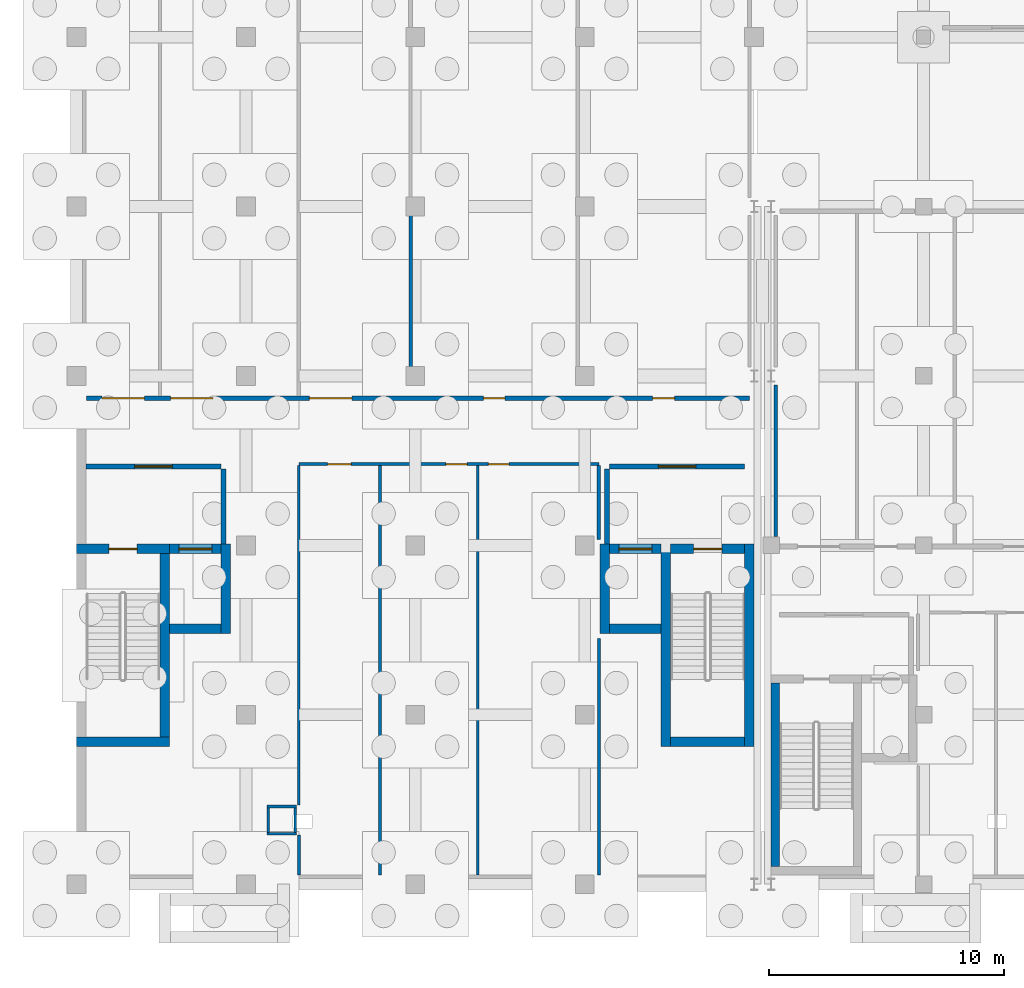
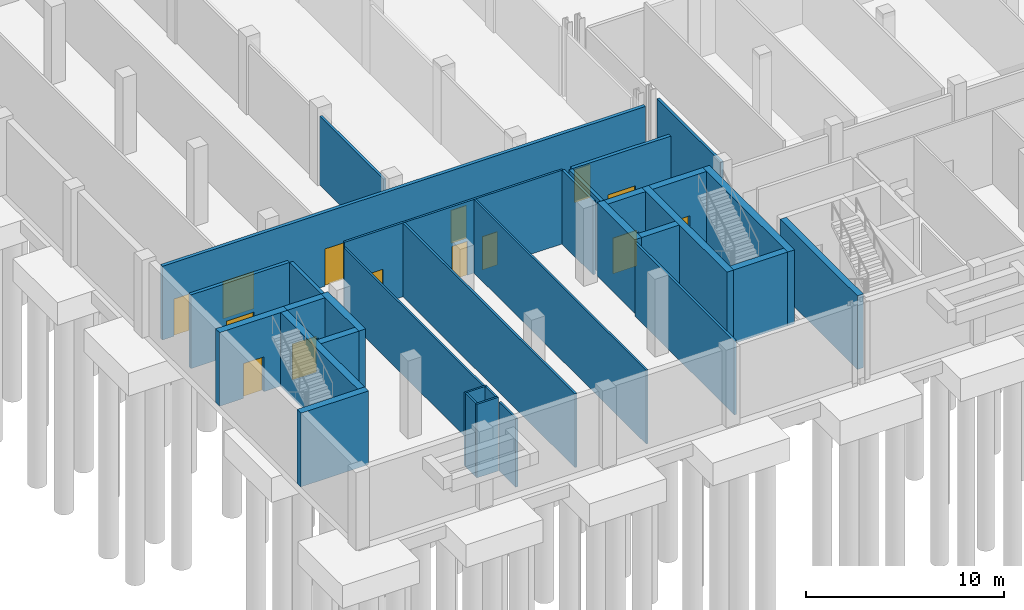
# One storey, part 15 of 35: 32 walls, 14 doors, 14 openings.
"""IFC4 building model written with IfcOpenShell, lengths in metres."""

from ifc_helpers import new_model, si_unit, direction, frame, frame_2d, origin, place, context, subcontext, project, spatial, rectangle, extrude, material, layer, layer_set, type_object, element, fill, save


model = new_model("IFC4")

# Units and contexts
model_context = context("Model", 3, precision=1e-05, world=origin(), true_north=direction((0.0, 1.0)))
body_context = subcontext(model_context, "Body", "Model", "MODEL_VIEW")
ifc_project = project(units=[si_unit("LENGTHUNIT", "METRE"), si_unit("AREAUNIT", "SQUARE_METRE"), si_unit("VOLUMEUNIT", "CUBIC_METRE"), si_unit("PLANEANGLEUNIT", "RADIAN"), si_unit("MASSUNIT", "GRAM", prefix="KILO")], contexts=[model_context])

# Site, building, storey
site_placement = place(None, origin())
site = spatial("IfcSite", under=ifc_project, at=site_placement, CompositionType="ELEMENT")
building_placement = place(site_placement, origin())
building = spatial("IfcBuilding", under=site, at=building_placement, Name="Zarrinpeak Specialist Clinic", CompositionType="ELEMENT")
storey_placement = place(building_placement, frame((0.0, 0.0, -4.800048828125)))
storey = spatial("IfcBuildingStorey", under=building, at=storey_placement, Name="B01", CompositionType="ELEMENT", Elevation=-4.800048828125)

# Walls
ifc_material_1 = material(Name="Concrete C40/50", Category="concrete")
ifc_layer_1 = layer(ifc_material_1, 0.35009765625)
ifc_layer_set_1 = layer_set([ifc_layer_1], Name="Concrete C40/50")
wall_type_1 = type_object("IfcWallType", Name="WL-CR350", PredefinedType="SHEAR", material=ifc_layer_set_1)
wall_1_placement = place(storey_placement, frame((29.695068359375, 0.75, 0.0), z_axis=(0.0, 0.0, 1.0), x_axis=(0.0, 1.0, 0.0)))
element("IfcWall", 1, at=wall_1_placement, inside=storey, type_object=wall_type_1, Name="B01 Core C03 Shear Wall STW", PredefinedType="SHEAR", context=body_context, shape_type="SweptSolid", body=[
    extrude(rectangle(XDim=7.800048828125, YDim=0.35009765625, at=frame_2d((3.89990234375, 0.0))), origin(), (0.0, 0.0, 1.0), 4.545166015625),
])
ifc_layer_2 = layer(ifc_material_1, 0.39990234375)
ifc_layer_set_2 = layer_set([ifc_layer_2], Name="Concrete C40/50")
wall_type_2 = type_object("IfcWallType", Name="WL-CR400", PredefinedType="SHEAR", material=ifc_layer_set_2)
wall_2_placement = place(storey_placement, frame((0.0, 6.050048828125, 0.0), z_axis=(0.0, 0.0, 1.0), x_axis=(1.0, 0.0, 0.0)))
element("IfcWall", 2, at=wall_2_placement, inside=storey, type_object=wall_type_2, Name="B01 Core C01 Shear Wall STS", PredefinedType="SHEAR", context=body_context, shape_type="SweptSolid", body=[
    extrude(rectangle(XDim=3.949951171875, YDim=0.39990234375, at=frame_2d((1.97509765625, 0.0))), origin(), (0.0, 0.0, 1.0), 4.545166015625),
])

# Wall, opening, door
wall_3_placement = place(storey_placement, frame((0.0, 14.25, 0.0), z_axis=(0.0, 0.0, 1.0), x_axis=(1.0, 0.0, 0.0)))
wall_3 = element("IfcWall", 3, at=wall_3_placement, inside=storey, type_object=wall_type_2, Name="B01 Core C01 Shear Wall STN", PredefinedType="SHEAR", context=body_context, shape_type="SweptSolid", body=[
    extrude(rectangle(XDim=3.949951171875, YDim=0.39990234375, at=frame_2d((1.97509765625, 0.0))), origin(), (0.0, 0.0, 1.0), 4.545166015625),
])
opening_1_placement = place(wall_3_placement, frame((1.375, 0.0, 0.0)))
opening_1 = element("IfcOpeningElement", 4, at=opening_1_placement, cuts=wall_3, Name="Opening D-S01", PredefinedType="OPENING", context=body_context, shape_type="SweptSolid", body=[
    extrude(rectangle(XDim=1.199951171875, YDim=2.14990234375, at=frame_2d((0.60009765625, 1.074951171875))), frame((0.0, 0.2099609375, 0.0), z_axis=(0.0, -1.0, 0.0), x_axis=(1.0, 0.0, 0.0)), (0.0, 0.0, 1.0), 0.419921875),
])
ifc_material_2 = material(Name="Powder-Coated Galvanised Steel", Category="steel")
door_type_1 = type_object("IfcDoorType", Name="DR-FD120", OperationType="SINGLE_SWING_LEFT", PredefinedType="DOOR", material=ifc_material_2)
door_1_placement = place(opening_1_placement, frame((1.199951171875, 0.0, 0.0), z_axis=(0.0, 0.0, 1.0), x_axis=(-1.0, 0.0, 0.0)))
door_1 = element("IfcDoor", 5, at=door_1_placement, inside=storey, type_object=door_type_1, Name="B01 Protected Stair ST-01 Fire Door", OperationType="SINGLE_SWING_LEFT", OverallHeight=2.14990234375, OverallWidth=1.199951171875, PredefinedType="DOOR", context=body_context, shape_type="SweptSolid", body=[
    extrude(rectangle(XDim=1.199951171875, YDim=2.14990234375, at=frame_2d((0.60009765625, 1.074951171875))), frame((0.0, 0.02490234375, 0.0), z_axis=(0.0, -1.0, 0.0), x_axis=(1.0, 0.0, 0.0)), (0.0, 0.0, 1.0), 0.050048828125),
])
fill(opening_1, door_1)

# Walls
wall_4_placement = place(storey_placement, frame((3.75, 6.25, 0.0), z_axis=(0.0, 0.0, 1.0), x_axis=(0.0, 1.0, 0.0)))
element("IfcWall", 6, at=wall_4_placement, inside=storey, type_object=wall_type_2, Name="B01 Core C01 Shear Wall STE", PredefinedType="SHEAR", context=body_context, shape_type="SweptSolid", body=[
    extrude(rectangle(XDim=7.800048828125, YDim=0.39990234375, at=frame_2d((3.89990234375, 0.0))), origin(), (0.0, 0.0, 1.0), 4.545166015625),
])
wall_5_placement = place(storey_placement, frame((3.949951171875, 10.85009765625, 0.0), z_axis=(0.0, 0.0, 1.0), x_axis=(1.0, 0.0, 0.0)))
element("IfcWall", 7, at=wall_5_placement, inside=storey, type_object=wall_type_2, Name="B01 Lift LF-FF1 Shaft Wall LFS", PredefinedType="SHEAR", context=body_context, shape_type="SweptSolid", body=[
    extrude(rectangle(XDim=2.199951171875, YDim=0.39990234375, at=frame_2d((1.10009765625, 0.0))), origin(), (0.0, 0.0, 1.0), 4.545166015625),
])

# Wall, opening, door
wall_6_placement = place(storey_placement, frame((3.949951171875, 14.25, 0.0), z_axis=(0.0, 0.0, 1.0), x_axis=(1.0, 0.0, 0.0)))
wall_6 = element("IfcWall", 8, at=wall_6_placement, inside=storey, type_object=wall_type_2, Name="B01 Lift LF-FF1 Shaft Wall LFN", PredefinedType="SHEAR", context=body_context, shape_type="SweptSolid", body=[
    extrude(rectangle(XDim=2.199951171875, YDim=0.39990234375, at=frame_2d((1.10009765625, 0.0))), origin(), (0.0, 0.0, 1.0), 4.545166015625),
])
opening_2_placement = place(wall_6_placement, frame((0.39990234375, 0.0, 0.0)))
opening_2 = element("IfcOpeningElement", 9, at=opening_2_placement, cuts=wall_6, Name="Opening LD-01", PredefinedType="OPENING", context=body_context, shape_type="SweptSolid", body=[
    extrude(rectangle(XDim=1.39990234375, YDim=2.199951171875, at=frame_2d((0.699951171875, 1.10009765625))), frame((0.0, 0.2099609375, 0.0), z_axis=(0.0, -1.0, 0.0), x_axis=(1.0, 0.0, 0.0)), (0.0, 0.0, 1.0), 0.419921875),
])
door_type_2 = type_object("IfcDoorType", Name="DR-LD140", OperationType="SLIDING_TO_LEFT", PredefinedType="DOOR", material=ifc_material_2)
door_2_placement = place(opening_2_placement, origin())
door_2 = element("IfcDoor", 10, at=door_2_placement, inside=storey, type_object=door_type_2, Name="B01 Lift LF-FF1 Sliding Landing Door", OperationType="SLIDING_TO_LEFT", OverallHeight=2.199951171875, OverallWidth=1.39990234375, PredefinedType="DOOR", context=body_context, shape_type="SweptSolid", body=[
    extrude(rectangle(XDim=1.39990234375, YDim=2.199951171875, at=frame_2d((0.699951171875, 1.10009765625))), frame((0.0, 0.02490234375, 0.0), z_axis=(0.0, -1.0, 0.0), x_axis=(1.0, 0.0, 0.0)), (0.0, 0.0, 1.0), 0.050048828125),
])
fill(opening_2, door_2)

# Walls
wall_7_placement = place(storey_placement, frame((6.35009765625, 10.64990234375, 0.0), z_axis=(0.0, 0.0, 1.0), x_axis=(0.0, 1.0, 0.0)))
element("IfcWall", 11, at=wall_7_placement, inside=storey, type_object=wall_type_2, Name="B01 Lift LF-FF1 Shaft Wall LFE", PredefinedType="SHEAR", context=body_context, shape_type="SweptSolid", body=[
    extrude(rectangle(XDim=3.800048828125, YDim=0.39990234375, at=frame_2d((1.89990234375, 0.0))), origin(), (0.0, 0.0, 1.0), 4.545166015625),
])
wall_8_placement = place(storey_placement, frame((25.25, 6.050048828125, 0.0), z_axis=(0.0, 0.0, 1.0), x_axis=(1.0, 0.0, 0.0)))
element("IfcWall", 12, at=wall_8_placement, inside=storey, type_object=wall_type_2, Name="B01 Core C02 Shear Wall STS", PredefinedType="SHEAR", context=body_context, shape_type="SweptSolid", body=[
    extrude(rectangle(XDim=3.14990234375, YDim=0.39990234375, at=frame_2d((1.574951171875, 0.0))), origin(), (0.0, 0.0, 1.0), 4.545166015625),
])

# Wall, opening, door
wall_9_placement = place(storey_placement, frame((25.25, 14.25, 0.0), z_axis=(0.0, 0.0, 1.0), x_axis=(1.0, 0.0, 0.0)))
wall_9 = element("IfcWall", 13, at=wall_9_placement, inside=storey, type_object=wall_type_2, Name="B01 Core C02 Shear Wall STN", PredefinedType="SHEAR", context=body_context, shape_type="SweptSolid", body=[
    extrude(rectangle(XDim=3.14990234375, YDim=0.39990234375, at=frame_2d((1.574951171875, 0.0))), origin(), (0.0, 0.0, 1.0), 4.545166015625),
])
opening_3_placement = place(wall_9_placement, frame((0.97509765625, 0.0, 0.0)))
opening_3 = element("IfcOpeningElement", 14, at=opening_3_placement, cuts=wall_9, Name="Opening D-S01", PredefinedType="OPENING", context=body_context, shape_type="SweptSolid", body=[
    extrude(rectangle(XDim=1.199951171875, YDim=2.14990234375, at=frame_2d((0.60009765625, 1.074951171875))), frame((0.0, 0.2099609375, 0.0), z_axis=(0.0, -1.0, 0.0), x_axis=(1.0, 0.0, 0.0)), (0.0, 0.0, 1.0), 0.419921875),
])
door_3_placement = place(opening_3_placement, frame((1.199951171875, 0.0, 0.0), z_axis=(0.0, 0.0, 1.0), x_axis=(-1.0, 0.0, 0.0)))
door_3 = element("IfcDoor", 15, at=door_3_placement, inside=storey, type_object=door_type_1, Name="B01 Protected Stair ST-02 Fire Door", OperationType="SINGLE_SWING_LEFT", OverallHeight=2.14990234375, OverallWidth=1.199951171875, PredefinedType="DOOR", context=body_context, shape_type="SweptSolid", body=[
    extrude(rectangle(XDim=1.199951171875, YDim=2.14990234375, at=frame_2d((0.60009765625, 1.074951171875))), frame((0.0, 0.02490234375, 0.0), z_axis=(0.0, -1.0, 0.0), x_axis=(1.0, 0.0, 0.0)), (0.0, 0.0, 1.0), 0.050048828125),
])
fill(opening_3, door_3)

# Walls
for number, where, z_axis, x_axis, name in (
    (16, (25.050048828125, 5.85009765625, 0.0), (0.0, 0.0, 1.0), (0.0, 1.0, 0.0), "B01 Core C02 Shear Wall STW"),
    (17, (28.60009765625, 5.85009765625, 0.0), (0.0, 0.0, 1.0), (0.0, 1.0, 0.0), "B01 Core C02 Shear Wall STE"),
):
    element("IfcWall", number, at=place(storey_placement, frame(where, z_axis=z_axis, x_axis=x_axis)), inside=storey, type_object=wall_type_2, Name=name, PredefinedType="SHEAR", context=body_context, shape_type="SweptSolid", body=[
        extrude(rectangle(XDim=8.599853515625, YDim=0.39990234375, at=frame_2d((4.2998046875, 0.0))), origin(), (0.0, 0.0, 1.0), 4.545166015625),
    ])
wall_10_placement = place(storey_placement, frame((22.64990234375, 10.85009765625, 0.0), z_axis=(0.0, 0.0, 1.0), x_axis=(1.0, 0.0, 0.0)))
element("IfcWall", 18, at=wall_10_placement, inside=storey, type_object=wall_type_2, Name="B01 Lift LF-FF2 Shaft Wall LFS", PredefinedType="SHEAR", context=body_context, shape_type="SweptSolid", body=[
    extrude(rectangle(XDim=2.2001953125, YDim=0.39990234375, at=frame_2d((1.10009765625, 0.0))), origin(), (0.0, 0.0, 1.0), 4.545166015625),
])

# Wall, opening, door
wall_11_placement = place(storey_placement, frame((22.64990234375, 14.25, 0.0), z_axis=(0.0, 0.0, 1.0), x_axis=(1.0, 0.0, 0.0)))
wall_11 = element("IfcWall", 19, at=wall_11_placement, inside=storey, type_object=wall_type_2, Name="B01 Lift LF-FF2 Shaft Wall LFN", PredefinedType="SHEAR", context=body_context, shape_type="SweptSolid", body=[
    extrude(rectangle(XDim=2.2001953125, YDim=0.39990234375, at=frame_2d((1.10009765625, 0.0))), origin(), (0.0, 0.0, 1.0), 4.545166015625),
])
opening_4_placement = place(wall_11_placement, frame((0.39990234375, 0.0, 0.0)))
opening_4 = element("IfcOpeningElement", 20, at=opening_4_placement, cuts=wall_11, Name="Opening LD-01", PredefinedType="OPENING", context=body_context, shape_type="SweptSolid", body=[
    extrude(rectangle(XDim=1.39990234375, YDim=2.199951171875, at=frame_2d((0.699951171875, 1.10009765625))), frame((0.0, 0.2099609375, 0.0), z_axis=(0.0, -1.0, 0.0), x_axis=(1.0, 0.0, 0.0)), (0.0, 0.0, 1.0), 0.419921875),
])
door_4_placement = place(opening_4_placement, origin())
door_4 = element("IfcDoor", 21, at=door_4_placement, inside=storey, type_object=door_type_2, Name="B01 Lift LF-FF2 Sliding Landing Door", OperationType="SLIDING_TO_LEFT", OverallHeight=2.199951171875, OverallWidth=1.39990234375, PredefinedType="DOOR", context=body_context, shape_type="SweptSolid", body=[
    extrude(rectangle(XDim=1.39990234375, YDim=2.199951171875, at=frame_2d((0.699951171875, 1.10009765625))), frame((0.0, 0.02490234375, 0.0), z_axis=(0.0, -1.0, 0.0), x_axis=(1.0, 0.0, 0.0)), (0.0, 0.0, 1.0), 0.050048828125),
])
fill(opening_4, door_4)

# Walls
wall_12_placement = place(storey_placement, frame((22.449951171875, 10.64990234375, 0.0), z_axis=(0.0, 0.0, 1.0), x_axis=(0.0, 1.0, 0.0)))
element("IfcWall", 22, at=wall_12_placement, inside=storey, type_object=wall_type_2, Name="B01 Lift LF-FF2 Shaft Wall LFW", PredefinedType="SHEAR", context=body_context, shape_type="SweptSolid", body=[
    extrude(rectangle(XDim=3.800048828125, YDim=0.39990234375, at=frame_2d((1.89990234375, 0.0))), origin(), (0.0, 0.0, 1.0), 4.545166015625),
])
ifc_material_3 = material(Name="Sanitary Service Chase Plumbing Wall", Category="gypsum")
ifc_layer_3 = layer(ifc_material_3, 0.110107421875)
ifc_layer_set_3 = layer_set([ifc_layer_3], Name="Sanitary Service Chase Plumbing Wall")
wall_type_3 = type_object("IfcWallType", Name="WL-IW110", PredefinedType="PARTITIONING", material=ifc_layer_set_3)
for number, where, z_axis, x_axis, name in (
    (23, (8.090087890625, 2.14501953125, 0.0), (0.0, 0.0, 1.0), (1.0, 0.0, 0.0), "B01 V1 Enclosed MEP Service Riser Wall S"),
    (24, (8.090087890625, 3.304931640625, 0.0), (0.0, 0.0, 1.0), (1.0, 0.0, 0.0), "B01 V1 Enclosed MEP Service Riser Wall N"),
):
    element("IfcWall", number, at=place(storey_placement, frame(where, z_axis=z_axis, x_axis=x_axis)), inside=storey, type_object=wall_type_3, Name=name, PredefinedType="PARTITIONING", context=body_context, shape_type="SweptSolid", body=[
        extrude(rectangle(XDim=1.27001953125, YDim=0.110107421875, at=frame_2d((0.635009765625, 0.0))), origin(), (0.0, 0.0, 1.0), 4.5400390625),
    ])
for number, where, z_axis, x_axis, name in (
    (25, (8.14501953125, 2.199951171875, 0.0), (0.0, 0.0, 1.0), (0.0, 1.0, 0.0), "B01 V1 Enclosed MEP Service Riser Wall W"),
    (26, (9.304931640625, 2.199951171875, 0.0), (0.0, 0.0, 1.0), (0.0, 1.0, 0.0), "B01 V1 Enclosed MEP Service Riser Wall E"),
):
    element("IfcWall", number, at=place(storey_placement, frame(where, z_axis=z_axis, x_axis=x_axis)), inside=storey, type_object=wall_type_3, Name=name, PredefinedType="PARTITIONING", context=body_context, shape_type="SweptSolid", body=[
        extrude(rectangle(XDim=1.050048828125, YDim=0.110107421875, at=frame_2d((0.52490234375, 0.0))), origin(), (0.0, 0.0, 1.0), 4.5400390625),
    ])
wall_13_placement = place(storey_placement, frame((9.449951171875, 3.360107421875, 0.0), z_axis=(0.0, 0.0, 1.0), x_axis=(0.0, 1.0, 0.0)))
element("IfcWall", 27, at=wall_13_placement, inside=storey, type_object=wall_type_3, Name="B01 Accessible Staff WC Dividing Partition", PredefinedType="PARTITIONING", context=body_context, shape_type="SweptSolid", body=[
    extrude(rectangle(XDim=14.427490234375, YDim=0.110107421875, at=frame_2d((7.2138671875, 0.0))), origin(), (0.0, 0.0, 1.0), 4.235107421875),
])
wall_14_placement = place(storey_placement, frame((17.050048828125, 0.39990234375, 0.0), z_axis=(0.0, 0.0, 1.0), x_axis=(0.0, 1.0, 0.0)))
element("IfcWall", 28, at=wall_14_placement, inside=storey, type_object=wall_type_3, Name="B01 Staff Changing and Shower Room Dividing Partition", PredefinedType="PARTITIONING", context=body_context, shape_type="SweptSolid", body=[
    extrude(rectangle(XDim=17.3876953125, YDim=0.110107421875, at=frame_2d((8.69384765625, 0.0))), origin(), (0.0, 0.0, 1.0), 4.545166015625),
])

# Wall, openings, doors
ifc_material_4 = material(Name="Moisture-Resistant Wet-Room Partition", Category="gypsum")
ifc_layer_4 = layer(ifc_material_4, 0.125)
ifc_layer_set_4 = layer_set([ifc_layer_4], Name="Moisture-Resistant Wet-Room Partition")
wall_type_4 = type_object("IfcWallType", Name="WL-IW125W", PredefinedType="PARTITIONING", material=ifc_layer_set_4)
wall_15_placement = place(storey_placement, frame((9.449951171875, 17.85009765625, 0.0), z_axis=(0.0, 0.0, 1.0), x_axis=(1.0, 0.0, 0.0)))
wall_15 = element("IfcWall", 29, at=wall_15_placement, inside=storey, type_object=wall_type_4, Name="B01 Accessible Staff WC Partition", PredefinedType="PARTITIONING", context=body_context, shape_type="SweptSolid", body=[
    extrude(rectangle(XDim=12.75, YDim=0.125, at=frame_2d((6.375, 0.0))), origin(), (0.0, 0.0, 1.0), 4.545166015625),
])
opening_5_placement = place(wall_15_placement, frame((1.22509765625, 0.0, 0.0)))
opening_5 = element("IfcOpeningElement", 30, at=opening_5_placement, cuts=wall_15, Name="Opening D-W02", PredefinedType="OPENING", context=body_context, shape_type="SweptSolid", body=[
    extrude(rectangle(XDim=1.0, YDim=2.10009765625, at=frame_2d((0.5, 1.050048828125))), frame((0.0, 0.072509765625, 0.0), z_axis=(0.0, -1.0, 0.0), x_axis=(1.0, 0.0, 0.0)), (0.0, 0.0, 1.0), 0.14501953125),
])
opening_6_placement = place(wall_15_placement, frame((6.25, 0.0, 0.0)))
opening_6 = element("IfcOpeningElement", 31, at=opening_6_placement, cuts=wall_15, Name="Opening D-W01", PredefinedType="OPENING", context=body_context, shape_type="SweptSolid", body=[
    extrude(rectangle(XDim=0.89990234375, YDim=2.10009765625, at=frame_2d((0.449951171875, 1.050048828125))), frame((0.0, 0.072509765625, 0.0), z_axis=(0.0, -1.0, 0.0), x_axis=(1.0, 0.0, 0.0)), (0.0, 0.0, 1.0), 0.14501953125),
])
opening_7_placement = place(wall_15_placement, frame((8.050048828125, 0.0, 0.0)))
opening_7 = element("IfcOpeningElement", 32, at=opening_7_placement, cuts=wall_15, Name="Opening DS-01", PredefinedType="OPENING", context=body_context, shape_type="SweptSolid", body=[
    extrude(rectangle(XDim=0.8798828125, YDim=2.0400390625, at=frame_2d((0.43994140625, 1.02001953125))), frame((0.0, 0.072509765625, 0.0), z_axis=(0.0, -1.0, 0.0), x_axis=(1.0, 0.0, 0.0)), (0.0, 0.0, 1.0), 0.14501953125),
])
door_type_3 = type_object("IfcDoorType", Name="DR-AWC100", OperationType="SLIDING_TO_LEFT", PredefinedType="DOOR", material=ifc_material_2)
door_5_placement = place(opening_5_placement, origin())
door_5 = element("IfcDoor", 33, at=door_5_placement, inside=storey, type_object=door_type_3, Name="B01 Accessible Staff WC Door", OperationType="SLIDING_TO_LEFT", OverallHeight=2.10009765625, OverallWidth=1.0, PredefinedType="DOOR", context=body_context, shape_type="SweptSolid", body=[
    extrude(rectangle(XDim=1.0, YDim=2.10009765625, at=frame_2d((0.5, 1.050048828125))), frame((0.0, 0.02490234375, 0.0), z_axis=(0.0, -1.0, 0.0), x_axis=(1.0, 0.0, 0.0)), (0.0, 0.0, 1.0), 0.050048828125),
])
fill(opening_5, door_5)
door_type_4 = type_object("IfcDoorType", Name="DR-SP01", OperationType="SINGLE_SWING_RIGHT", PredefinedType="DOOR", material=ifc_material_2)
door_6_placement = place(opening_7_placement, origin())
door_6 = element("IfcDoor", 34, at=door_6_placement, inside=storey, type_object=door_type_4, Name="B01 Biomedical Engineering Workshop Door", OperationType="SINGLE_SWING_RIGHT", OverallHeight=2.0400390625, OverallWidth=0.8798828125, PredefinedType="DOOR", context=body_context, shape_type="SweptSolid", body=[
    extrude(rectangle(XDim=0.8798828125, YDim=2.0400390625, at=frame_2d((0.43994140625, 1.02001953125))), frame((0.0, 0.02490234375, 0.0), z_axis=(0.0, -1.0, 0.0), x_axis=(1.0, 0.0, 0.0)), (0.0, 0.0, 1.0), 0.050048828125),
])
fill(opening_7, door_6)
door_type_5 = type_object("IfcDoorType", Name="DR-WC90", OperationType="SINGLE_SWING_RIGHT", PredefinedType="DOOR", material=ifc_material_2)
door_7_placement = place(opening_6_placement, origin())
door_7 = element("IfcDoor", 35, at=door_7_placement, inside=storey, type_object=door_type_5, Name="B01 Staff Changing and Shower Room Door", OperationType="SINGLE_SWING_RIGHT", OverallHeight=2.10009765625, OverallWidth=0.89990234375, PredefinedType="DOOR", context=body_context, shape_type="SweptSolid", body=[
    extrude(rectangle(XDim=0.89990234375, YDim=2.10009765625, at=frame_2d((0.449951171875, 1.050048828125))), frame((0.0, 0.02490234375, 0.0), z_axis=(0.0, -1.0, 0.0), x_axis=(1.0, 0.0, 0.0)), (0.0, 0.0, 1.0), 0.050048828125),
])
fill(opening_6, door_7)

# Walls
wall_16_placement = place(storey_placement, frame((9.449951171875, 0.39990234375, 0.0), z_axis=(0.0, 0.0, 1.0), x_axis=(0.0, 1.0, 0.0)))
element("IfcWall", 36, at=wall_16_placement, inside=storey, type_object=wall_type_4, Name="B01 Accessible Staff WC Dividing Partition", PredefinedType="PARTITIONING", context=body_context, shape_type="SweptSolid", body=[
    extrude(rectangle(XDim=1.690185546875, YDim=0.125, at=frame_2d((0.84521484375, 0.0))), origin(), (0.0, 0.0, 1.0), 4.235107421875),
])
wall_17_placement = place(storey_placement, frame((12.89990234375, 0.39990234375, 0.0), z_axis=(0.0, 0.0, 1.0), x_axis=(0.0, 1.0, 0.0)))
element("IfcWall", 37, at=wall_17_placement, inside=storey, type_object=wall_type_4, Name="B01 Accessible Staff WC Dividing Partition", PredefinedType="PARTITIONING", context=body_context, shape_type="SweptSolid", body=[
    extrude(rectangle(XDim=17.3876953125, YDim=0.125, at=frame_2d((8.69384765625, 0.0))), origin(), (0.0, 0.0, 1.0), 4.545166015625),
])
ifc_material_5 = material(Name="Standard Drywall Partition", Category="gypsum")
ifc_layer_5 = layer(ifc_material_5, 0.135009765625)
ifc_layer_set_5 = layer_set([ifc_layer_5], Name="Standard Drywall Partition")
wall_type_5 = type_object("IfcWallType", Name="WL-IW135", PredefinedType="PARTITIONING", material=ifc_layer_set_5)
wall_18_placement = place(storey_placement, frame((22.199951171875, 0.39990234375, 0.0), z_axis=(0.0, 0.0, 1.0), x_axis=(0.0, 1.0, 0.0)))
element("IfcWall", 38, at=wall_18_placement, inside=storey, type_object=wall_type_5, Name="B01 Biomedical Engineering Workshop Dividing Partition", PredefinedType="PARTITIONING", context=body_context, shape_type="SweptSolid", body=[
    extrude(rectangle(XDim=10.050048828125, YDim=0.135009765625, at=frame_2d((5.02490234375, 0.0))), origin(), (0.0, 0.0, 1.0), 4.545166015625),
])
ifc_material_6 = material(Name="Acoustic Consultation Stud Partition", Category="gypsum")
ifc_layer_6 = layer(ifc_material_6, 0.14208984375)
ifc_layer_set_6 = layer_set([ifc_layer_6], Name="Acoustic Consultation Stud Partition")
wall_type_6 = type_object("IfcWallType", Name="WL-IW142", PredefinedType="PARTITIONING", material=ifc_layer_set_6)
wall_19_placement = place(storey_placement, frame((14.199951171875, 21.97998046875, 0.0), z_axis=(0.0, 0.0, 1.0), x_axis=(0.0, 1.0, 0.0)))
element("IfcWall", 39, at=wall_19_placement, inside=storey, type_object=wall_type_6, Name="B01 Primary Electrical Substation Dividing Partition", PredefinedType="PARTITIONING", context=body_context, shape_type="SweptSolid", body=[
    extrude(rectangle(XDim=6.43994140625, YDim=0.14208984375, at=frame_2d((3.219970703125, 0.0))), origin(), (0.0, 0.0, 1.0), 4.2451171875),
])
ifc_material_7 = material(Name="Insulated Clinical Gypsum Stud Partition", Category="gypsum")
ifc_layer_7 = layer(ifc_material_7, 0.14990234375)
ifc_layer_set_7 = layer_set([ifc_layer_7], Name="Insulated Clinical Gypsum Stud Partition")
wall_type_7 = type_object("IfcWallType", Name="WL-IW150", PredefinedType="PARTITIONING", material=ifc_layer_set_7)
wall_20_placement = place(storey_placement, frame((29.719970703125, 14.780029296875, 0.0), z_axis=(0.0, 0.0, 1.0), x_axis=(0.0, 1.0, 0.0)))
element("IfcWall", 40, at=wall_20_placement, inside=storey, type_object=wall_type_7, Name="B01 Pneumatic Tube Dispatch Plant Dividing Partition", PredefinedType="PARTITIONING", context=body_context, shape_type="SweptSolid", body=[
    extrude(rectangle(XDim=6.43994140625, YDim=0.14990234375, at=frame_2d((3.219970703125, 0.0))), origin(), (0.0, 0.0, 1.0), 4.2451171875),
])
ifc_material_8 = material(Name="Acoustic Double Gypsum Stud Partition", Category="gypsum")
ifc_layer_8 = layer(ifc_material_8, 0.159912109375)
ifc_layer_set_8 = layer_set([ifc_layer_8], Name="Acoustic Double Gypsum Stud Partition")
wall_type_8 = type_object("IfcWallType", Name="WL-IW160", PredefinedType="PARTITIONING", material=ifc_layer_set_8)
wall_21_placement = place(storey_placement, frame((22.199951171875, 14.64990234375, 0.0), z_axis=(0.0, 0.0, 1.0), x_axis=(0.0, 1.0, 0.0)))
element("IfcWall", 41, at=wall_21_placement, inside=storey, type_object=wall_type_8, Name="B01 Biomedical Engineering Workshop Dividing Partition", PredefinedType="PARTITIONING", context=body_context, shape_type="SweptSolid", body=[
    extrude(rectangle(XDim=3.1376953125, YDim=0.159912109375, at=frame_2d((1.56884765625, 0.0))), origin(), (0.0, 0.0, 1.0), 4.545166015625),
])

# Wall, opening, door
ifc_material_9 = material(Name="Autoclaved Aerated Concrete Blockwork", Category="masonry")
ifc_layer_9 = layer(ifc_material_9, 0.199951171875)
ifc_layer_set_9 = layer_set([ifc_layer_9], Name="Autoclaved Aerated Concrete Blockwork")
wall_type_9 = type_object("IfcWallType", Name="WL-IW200", PredefinedType="PARTITIONING", material=ifc_layer_set_9)
wall_22_placement = place(storey_placement, frame((0.39990234375, 17.75, 0.0), z_axis=(0.0, 0.0, 1.0), x_axis=(1.0, 0.0, 0.0)))
wall_22 = element("IfcWall", 42, at=wall_22_placement, inside=storey, type_object=wall_type_9, Name="B01 C01 Protected Lobby Partition LBF", PredefinedType="PARTITIONING", context=body_context, shape_type="SweptSolid", body=[
    extrude(rectangle(XDim=5.75, YDim=0.199951171875, at=frame_2d((2.875, 0.0))), origin(), (0.0, 0.0, 1.0), 4.545166015625),
])
opening_8_placement = place(wall_22_placement, frame((2.074951171875, 0.0, 0.0)))
opening_8 = element("IfcOpeningElement", 43, at=opening_8_placement, cuts=wall_22, Name="Opening D-L01", PredefinedType="OPENING", context=body_context, shape_type="SweptSolid", body=[
    extrude(rectangle(XDim=1.60009765625, YDim=2.199951171875, at=frame_2d((0.800048828125, 1.10009765625))), frame((0.0, 0.10986328125, 0.0), z_axis=(0.0, -1.0, 0.0), x_axis=(1.0, 0.0, 0.0)), (0.0, 0.0, 1.0), 0.219970703125),
])
door_type_6 = type_object("IfcDoorType", Name="DR-LB160", OperationType="DOUBLE_DOOR_SINGLE_SWING", PredefinedType="DOOR", material=ifc_material_2)
door_8_placement = place(opening_8_placement, origin())
door_8 = element("IfcDoor", 44, at=door_8_placement, inside=storey, type_object=door_type_6, Name="B01 C01 Lobby Hold-Open Fire Door", OperationType="DOUBLE_DOOR_SINGLE_SWING", OverallHeight=2.199951171875, OverallWidth=1.60009765625, PredefinedType="DOOR", context=body_context, shape_type="SweptSolid", body=[
    extrude(rectangle(XDim=1.60009765625, YDim=2.199951171875, at=frame_2d((0.800048828125, 1.10009765625))), frame((0.0, 0.02490234375, 0.0), z_axis=(0.0, -1.0, 0.0), x_axis=(1.0, 0.0, 0.0)), (0.0, 0.0, 1.0), 0.050048828125),
])
fill(opening_8, door_8)

# Wall
wall_23_placement = place(storey_placement, frame((6.25, 14.449951171875, 0.0), z_axis=(0.0, 0.0, 1.0), x_axis=(0.0, 1.0, 0.0)))
element("IfcWall", 45, at=wall_23_placement, inside=storey, type_object=wall_type_9, Name="B01 C01 Protected Lobby Partition LBE", PredefinedType="PARTITIONING", context=body_context, shape_type="SweptSolid", body=[
    extrude(rectangle(XDim=3.199951171875, YDim=0.199951171875, at=frame_2d((1.60009765625, 0.0))), origin(), (0.0, 0.0, 1.0), 4.545166015625),
])

# Wall, opening, door
wall_24_placement = place(storey_placement, frame((22.64990234375, 17.75, 0.0), z_axis=(0.0, 0.0, 1.0), x_axis=(1.0, 0.0, 0.0)))
wall_24 = element("IfcWall", 46, at=wall_24_placement, inside=storey, type_object=wall_type_9, Name="B01 C02 Protected Lobby Partition LBF", PredefinedType="PARTITIONING", context=body_context, shape_type="SweptSolid", body=[
    extrude(rectangle(XDim=5.75, YDim=0.199951171875, at=frame_2d((2.875, 0.0))), origin(), (0.0, 0.0, 1.0), 4.545166015625),
])
opening_9_placement = place(wall_24_placement, frame((2.074951171875, 0.0, 0.0)))
opening_9 = element("IfcOpeningElement", 47, at=opening_9_placement, cuts=wall_24, Name="Opening D-L01", PredefinedType="OPENING", context=body_context, shape_type="SweptSolid", body=[
    extrude(rectangle(XDim=1.60009765625, YDim=2.199951171875, at=frame_2d((0.800048828125, 1.10009765625))), frame((0.0, 0.10986328125, 0.0), z_axis=(0.0, -1.0, 0.0), x_axis=(1.0, 0.0, 0.0)), (0.0, 0.0, 1.0), 0.219970703125),
])
door_9_placement = place(opening_9_placement, origin())
door_9 = element("IfcDoor", 48, at=door_9_placement, inside=storey, type_object=door_type_6, Name="B01 C02 Lobby Hold-Open Fire Door", OperationType="DOUBLE_DOOR_SINGLE_SWING", OverallHeight=2.199951171875, OverallWidth=1.60009765625, PredefinedType="DOOR", context=body_context, shape_type="SweptSolid", body=[
    extrude(rectangle(XDim=1.60009765625, YDim=2.199951171875, at=frame_2d((0.800048828125, 1.10009765625))), frame((0.0, 0.02490234375, 0.0), z_axis=(0.0, -1.0, 0.0), x_axis=(1.0, 0.0, 0.0)), (0.0, 0.0, 1.0), 0.050048828125),
])
fill(opening_9, door_9)

# Wall
wall_25_placement = place(storey_placement, frame((22.550048828125, 14.449951171875, 0.0), z_axis=(0.0, 0.0, 1.0), x_axis=(0.0, 1.0, 0.0)))
element("IfcWall", 49, at=wall_25_placement, inside=storey, type_object=wall_type_9, Name="B01 C02 Protected Lobby Partition LBW", PredefinedType="PARTITIONING", context=body_context, shape_type="SweptSolid", body=[
    extrude(rectangle(XDim=3.199951171875, YDim=0.199951171875, at=frame_2d((1.60009765625, 0.0))), origin(), (0.0, 0.0, 1.0), 4.545166015625),
])

# Wall, openings, doors
wall_26_placement = place(storey_placement, frame((0.419921875, 20.64990234375, 0.0), z_axis=(0.0, 0.0, 1.0), x_axis=(1.0, 0.0, 0.0)))
wall_26 = element("IfcWall", 50, at=wall_26_placement, inside=storey, type_object=wall_type_9, Name="B01 Medical Gas Manifold Plant Partition", PredefinedType="PARTITIONING", context=body_context, shape_type="SweptSolid", body=[
    extrude(rectangle(XDim=28.18017578125, YDim=0.199951171875, at=frame_2d((14.090087890625, 0.0))), origin(), (0.0, 0.0, 1.0), 4.545166015625),
])
opening_10_placement = place(wall_26_placement, frame((0.6650390625, 0.0, 0.0)))
opening_10 = element("IfcOpeningElement", 51, at=opening_10_placement, cuts=wall_26, Name="Opening D-P01", PredefinedType="OPENING", context=body_context, shape_type="SweptSolid", body=[
    extrude(rectangle(XDim=1.800048828125, YDim=2.300048828125, at=frame_2d((0.89990234375, 1.14990234375))), frame((0.0, 0.10986328125, 0.0), z_axis=(0.0, -1.0, 0.0), x_axis=(1.0, 0.0, 0.0)), (0.0, 0.0, 1.0), 0.219970703125),
])
opening_11_placement = place(wall_26_placement, frame((9.47998046875, 0.0, 0.0)))
opening_11 = element("IfcOpeningElement", 52, at=opening_11_placement, cuts=wall_26, Name="Opening D-P01", PredefinedType="OPENING", context=body_context, shape_type="SweptSolid", body=[
    extrude(rectangle(XDim=1.800048828125, YDim=2.300048828125, at=frame_2d((0.89990234375, 1.14990234375))), frame((0.0, 0.10986328125, 0.0), z_axis=(0.0, -1.0, 0.0), x_axis=(1.0, 0.0, 0.0)), (0.0, 0.0, 1.0), 0.219970703125),
])
opening_12_placement = place(wall_26_placement, frame((3.580078125, 0.0, 0.0)))
opening_12 = element("IfcOpeningElement", 53, at=opening_12_placement, cuts=wall_26, Name="Opening D-P01", PredefinedType="OPENING", context=body_context, shape_type="SweptSolid", body=[
    extrude(rectangle(XDim=1.800048828125, YDim=2.300048828125, at=frame_2d((0.89990234375, 1.14990234375))), frame((0.0, 0.10986328125, 0.0), z_axis=(0.0, -1.0, 0.0), x_axis=(1.0, 0.0, 0.0)), (0.0, 0.0, 1.0), 0.219970703125),
])
opening_13_placement = place(wall_26_placement, frame((16.876953125, 0.0, 0.0)))
opening_13 = element("IfcOpeningElement", 54, at=opening_13_placement, cuts=wall_26, Name="Opening DS-02", PredefinedType="OPENING", context=body_context, shape_type="SweptSolid", body=[
    extrude(rectangle(XDim=0.906005859375, YDim=2.0400390625, at=frame_2d((0.453125, 1.02001953125))), frame((0.0, 0.10986328125, 0.0), z_axis=(0.0, -1.0, 0.0), x_axis=(1.0, 0.0, 0.0)), (0.0, 0.0, 1.0), 0.219970703125),
])
opening_14_placement = place(wall_26_placement, frame((24.06396484375, 0.0, 0.0)))
opening_14 = element("IfcOpeningElement", 55, at=opening_14_placement, cuts=wall_26, Name="Opening DS-03", PredefinedType="OPENING", context=body_context, shape_type="SweptSolid", body=[
    extrude(rectangle(XDim=0.931884765625, YDim=2.0400390625, at=frame_2d((0.4658203125, 1.02001953125))), frame((0.0, 0.10986328125, 0.0), z_axis=(0.0, -1.0, 0.0), x_axis=(1.0, 0.0, 0.0)), (0.0, 0.0, 1.0), 0.219970703125),
])
door_type_7 = type_object("IfcDoorType", Name="DR-PLT180", OperationType="DOUBLE_DOOR_SINGLE_SWING", PredefinedType="DOOR", material=ifc_material_2)
door_10_placement = place(opening_10_placement, frame((1.800048828125, 0.0, 0.0), z_axis=(0.0, 0.0, 1.0), x_axis=(-1.0, 0.0, 0.0)))
door_10 = element("IfcDoor", 56, at=door_10_placement, inside=storey, type_object=door_type_7, Name="B01 Medical Gas Manifold Plant Door", OperationType="DOUBLE_DOOR_SINGLE_SWING", OverallHeight=2.300048828125, OverallWidth=1.800048828125, PredefinedType="DOOR", context=body_context, shape_type="SweptSolid", body=[
    extrude(rectangle(XDim=1.800048828125, YDim=2.300048828125, at=frame_2d((0.89990234375, 1.14990234375))), frame((0.0, 0.02490234375, 0.0), z_axis=(0.0, -1.0, 0.0), x_axis=(1.0, 0.0, 0.0)), (0.0, 0.0, 1.0), 0.050048828125),
])
fill(opening_10, door_10)
door_11_placement = place(opening_11_placement, frame((1.800048828125, 0.0, 0.0), z_axis=(0.0, 0.0, 1.0), x_axis=(-1.0, 0.0, 0.0)))
door_11 = element("IfcDoor", 57, at=door_11_placement, inside=storey, type_object=door_type_7, Name="B01 Primary Electrical Substation Door", OperationType="DOUBLE_DOOR_SINGLE_SWING", OverallHeight=2.300048828125, OverallWidth=1.800048828125, PredefinedType="DOOR", context=body_context, shape_type="SweptSolid", body=[
    extrude(rectangle(XDim=1.800048828125, YDim=2.300048828125, at=frame_2d((0.89990234375, 1.14990234375))), frame((0.0, 0.02490234375, 0.0), z_axis=(0.0, -1.0, 0.0), x_axis=(1.0, 0.0, 0.0)), (0.0, 0.0, 1.0), 0.050048828125),
])
fill(opening_11, door_11)
door_12_placement = place(opening_12_placement, frame((1.800048828125, 0.0, 0.0), z_axis=(0.0, 0.0, 1.0), x_axis=(-1.0, 0.0, 0.0)))
door_12 = element("IfcDoor", 58, at=door_12_placement, inside=storey, type_object=door_type_7, Name="B01 Clean Clinical Supply Store Door", OperationType="DOUBLE_DOOR_SINGLE_SWING", OverallHeight=2.300048828125, OverallWidth=1.800048828125, PredefinedType="DOOR", context=body_context, shape_type="SweptSolid", body=[
    extrude(rectangle(XDim=1.800048828125, YDim=2.300048828125, at=frame_2d((0.89990234375, 1.14990234375))), frame((0.0, 0.02490234375, 0.0), z_axis=(0.0, -1.0, 0.0), x_axis=(1.0, 0.0, 0.0)), (0.0, 0.0, 1.0), 0.050048828125),
])
fill(opening_12, door_12)
door_type_8 = type_object("IfcDoorType", Name="DR-SP02", OperationType="SINGLE_SWING_LEFT", PredefinedType="DOOR", material=ifc_material_2)
door_13_placement = place(opening_13_placement, frame((0.906005859375, 0.0, 0.0), z_axis=(0.0, 0.0, 1.0), x_axis=(-1.0, 0.0, 0.0)))
door_13 = element("IfcDoor", 59, at=door_13_placement, inside=storey, type_object=door_type_8, Name="B01 Specialist Consultation Room 1 Door", OperationType="SINGLE_SWING_LEFT", OverallHeight=2.0400390625, OverallWidth=0.906005859375, PredefinedType="DOOR", context=body_context, shape_type="SweptSolid", body=[
    extrude(rectangle(XDim=0.906005859375, YDim=2.0400390625, at=frame_2d((0.453125, 1.02001953125))), frame((0.0, 0.02490234375, 0.0), z_axis=(0.0, -1.0, 0.0), x_axis=(1.0, 0.0, 0.0)), (0.0, 0.0, 1.0), 0.050048828125),
])
fill(opening_13, door_13)
door_type_9 = type_object("IfcDoorType", Name="DR-SP03", OperationType="SINGLE_SWING_RIGHT", PredefinedType="DOOR", material=ifc_material_2)
door_14_placement = place(opening_14_placement, frame((0.931884765625, 0.0, 0.0), z_axis=(0.0, 0.0, 1.0), x_axis=(-1.0, 0.0, 0.0)))
door_14 = element("IfcDoor", 60, at=door_14_placement, inside=storey, type_object=door_type_9, Name="B01 Specialist Consultation Room 2 Door", OperationType="SINGLE_SWING_RIGHT", OverallHeight=2.0400390625, OverallWidth=0.931884765625, PredefinedType="DOOR", context=body_context, shape_type="SweptSolid", body=[
    extrude(rectangle(XDim=0.931884765625, YDim=2.0400390625, at=frame_2d((0.4658203125, 1.02001953125))), frame((0.0, 0.02490234375, 0.0), z_axis=(0.0, -1.0, 0.0), x_axis=(1.0, 0.0, 0.0)), (0.0, 0.0, 1.0), 0.050048828125),
])
fill(opening_14, door_14)

save(model, "model.ifc")
